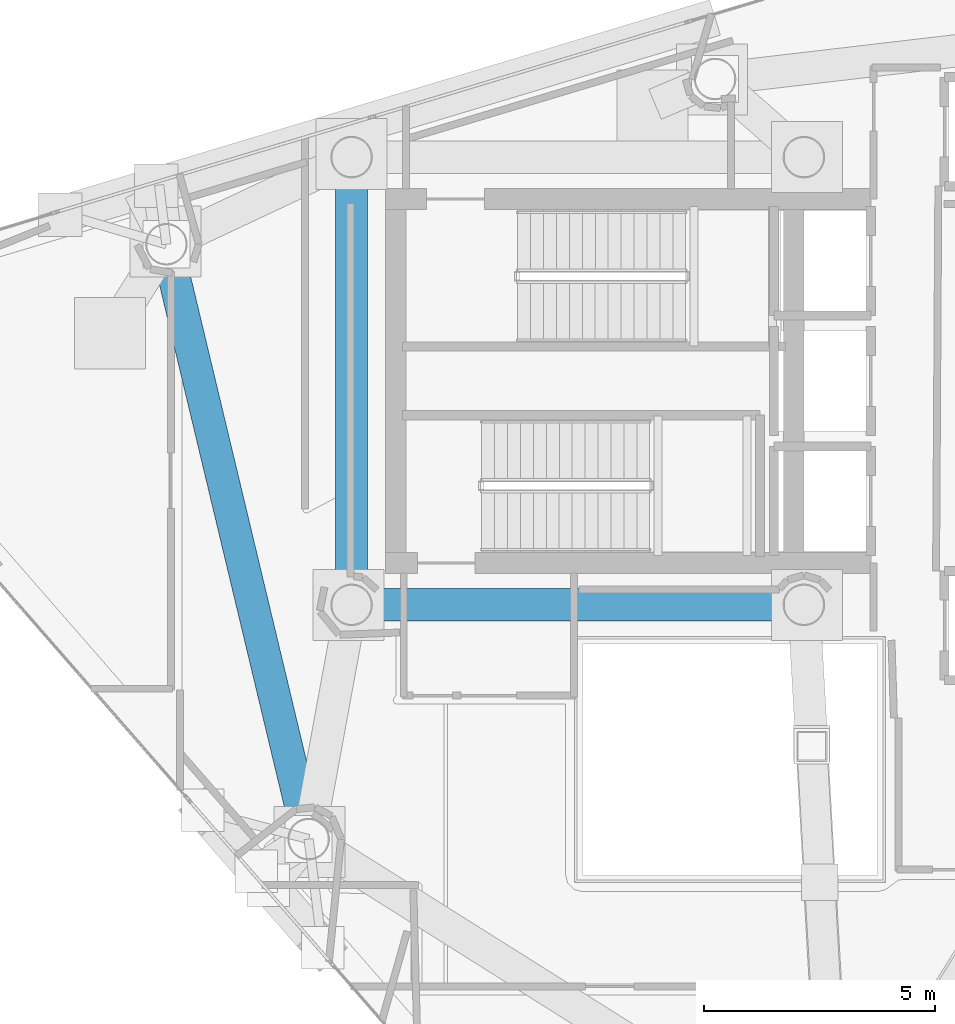
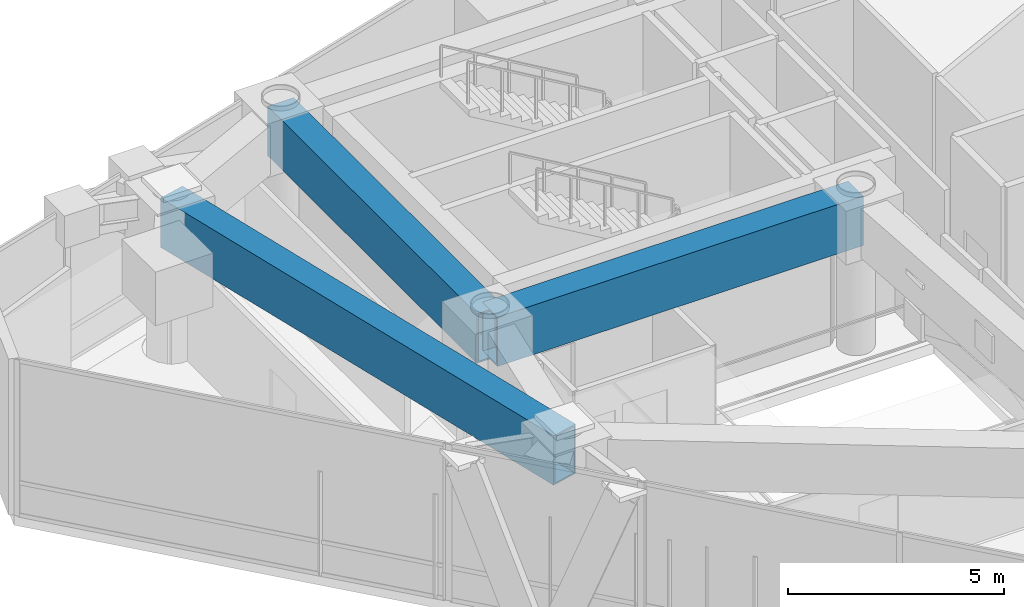
# One storey, part 8 of 20: 3 beams.
"""IFC4 building model written with IfcOpenShell, lengths in metres."""

from ifc_helpers import new_model, si_unit, direction, frame, origin, origin_2d, place, context, subcontext, project, spatial, hollow_rectangle, extrude, material, material_profile, profile_set, type_object, element, save


model = new_model("IFC4")

# Units and contexts
model_context = context("Model", 3, precision=1e-05, world=origin(), true_north=direction((0.0, 1.0)))
body_context = subcontext(model_context, "Body", "Model", "MODEL_VIEW")
ifc_project = project(units=[si_unit("LENGTHUNIT", "METRE"), si_unit("AREAUNIT", "SQUARE_METRE"), si_unit("VOLUMEUNIT", "CUBIC_METRE"), si_unit("PLANEANGLEUNIT", "RADIAN"), si_unit("MASSUNIT", "GRAM", prefix="KILO")], contexts=[model_context])

# Site, building, storey
site_placement = place(None, origin())
site = spatial("IfcSite", under=ifc_project, at=site_placement, CompositionType="ELEMENT")
building_placement = place(site_placement, origin())
building = spatial("IfcBuilding", under=site, at=building_placement, Name="Qianvela Tower", CompositionType="ELEMENT")
storey_placement = place(building_placement, frame((0.0, 0.0, 321.300048828125)))
storey = spatial("IfcBuildingStorey", under=building, at=storey_placement, Name="L83", CompositionType="ELEMENT", Elevation=321.300048828125)

# Beams
ifc_material = material(Name="Steel Q420GJC", Category="steel")
ifc_material_profile = material_profile(ifc_material, hollow_rectangle(XDim=0.699951171875, YDim=1.39990234375, WallThickness=0.0400390625, at=origin_2d()), Name="TG-BOX-1400x700x40")
ifc_profile_set = profile_set([ifc_material_profile], Name="Steel Q420GJC")
beam_type = type_object("IfcBeamType", Name="BM-TG-RAD-1400", PredefinedType="BEAM", material=ifc_profile_set)
beam_1_placement = place(storey_placement, frame((28.60009765625, 23.85009765625, 3.718017578125), z_axis=(1.0, 0.0, 0.0), x_axis=(0.0, 1.0, 0.0)))
element("IfcBeam", 1, at=beam_1_placement, inside=storey, type_object=beam_type, Name="L83 Core Ring Transfer Girder 1", PredefinedType="BEAM", context=body_context, shape_type="SweptSolid", body=[
    extrude(hollow_rectangle(XDim=0.699951171875, YDim=1.39990234375, WallThickness=0.0400390625, at=origin_2d()), origin(), (0.0, 0.0, 1.0), 9.7998046875),
])
beam_2_placement = place(storey_placement, frame((28.60009765625, 33.550048828125, 3.718017578125), z_axis=(0.0, -1.0, 0.0), x_axis=(1.0, 0.0, 0.0)))
element("IfcBeam", 2, at=beam_2_placement, inside=storey, type_object=beam_type, Name="L83 Core Ring Transfer Girder 2", PredefinedType="BEAM", context=body_context, shape_type="SweptSolid", body=[
    extrude(hollow_rectangle(XDim=0.699951171875, YDim=1.39990234375, WallThickness=0.0400390625, at=origin_2d()), origin(), (0.0, 0.0, 1.0), 9.699951171875),
])
beam_3_placement = place(storey_placement, frame((24.5869140625, 31.6630859375, 3.718017578125), z_axis=(0.232631550142, -0.972564939672, 0.0), x_axis=(0.972564939672, 0.232631550142, 0.0)))
element("IfcBeam", 3, at=beam_3_placement, inside=storey, type_object=beam_type, Name="L83 Perimeter Belt-Truss Top Ring Girder 3", PredefinedType="BEAM", context=body_context, shape_type="SweptSolid", body=[
    extrude(hollow_rectangle(XDim=0.699951171875, YDim=1.39990234375, WallThickness=0.0400390625, at=origin_2d()), origin(), (0.0, 0.0, 1.0), 13.252685546875),
])

save(model, "model.ifc")
